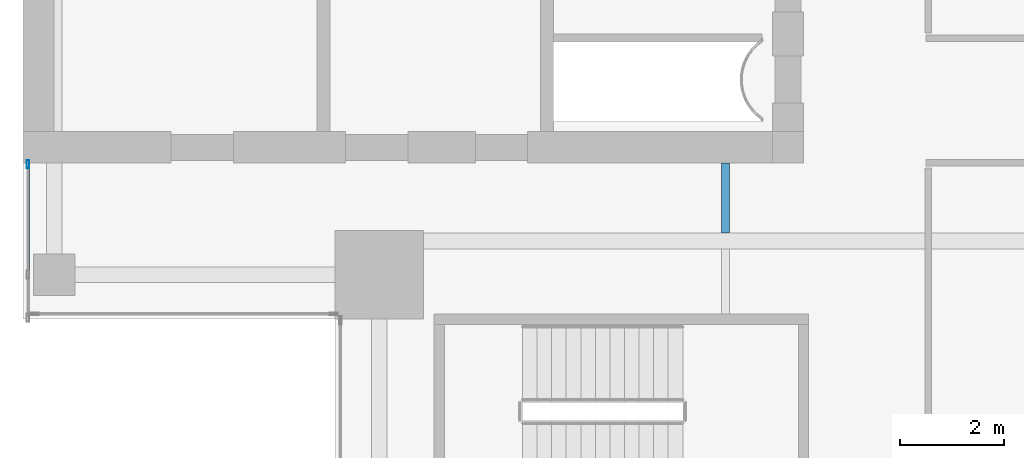
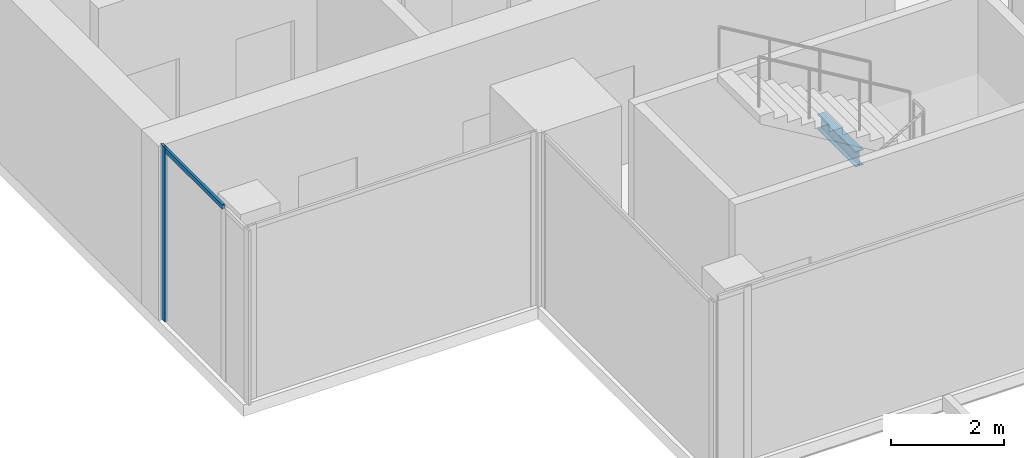
# One storey, part 4 of 29: 2 members, 1 beam, 1 element without a shape of its own.
"""IFC4 building model written with IfcOpenShell, lengths in metres."""

import ifcopenshell
import ifcopenshell.guid

model = None  # the IFC model being written
_history = None  # IfcOwnerHistory: only IFC2X3 demands one
_inside = {}  # id of a spatial element -> (the spatial element, [elements in it])
_under = {}  # id of a project, library or spatial element -> (it, [spatial elements below it])
_declared = {}  # id of a project -> (the project, [libraries it declares])
_typed = {}  # id of a type object -> (the type object, [elements of that type])
_made_of = {}  # id of a material, layer set ... -> (it, [elements and type objects made of it])


def new_model(schema):
    """Start an empty IFC model of exactly this schema.

    Asked for "IFC4X3", IfcOpenShell would pick the latest addendum, in which some entities
    have other attributes; the version numbers below select the first issue.
    IFC2X3 requires an IfcOwnerHistory on every rooted entity: one is made here for all.
    """
    global model, _history
    if schema == "IFC4X3":
        model = ifcopenshell.file(schema_version=(4, 3, 0, 0))
    else:
        model = ifcopenshell.file(schema=schema)
    _inside.clear()
    _under.clear()
    _declared.clear()
    _typed.clear()
    _made_of.clear()
    _history = None
    if model.schema == "IFC2X3":
        org = make("IfcOrganization", Name="unknown")
        user = make(
            "IfcPersonAndOrganization",
            ThePerson=make("IfcPerson", FamilyName="unknown"),
            TheOrganization=org,
        )
        app = make(
            "IfcApplication",
            ApplicationDeveloper=org,
            Version="unknown",
            ApplicationFullName="unknown",
            ApplicationIdentifier="unknown",
        )
        _history = make(
            "IfcOwnerHistory",
            OwningUser=user,
            OwningApplication=app,
            ChangeAction="ADDED",
            CreationDate=0,
        )
    return model


def make(cls, **values):
    """One entity of the class cls with the attributes given. An attribute that is None is left unset."""
    return model.create_entity(
        cls, **{name: value for name, value in values.items() if value is not None}
    )


def rooted(cls, **values):
    """An entity with a GlobalId (a new one), such as an element, a storey or a relation."""
    return make(cls, GlobalId=ifcopenshell.guid.new(), OwnerHistory=_history, **values)


def si_unit(unit_type, name, prefix=None):
    """IfcSIUnit, for example si_unit("LENGTHUNIT", "METRE", prefix="MILLI")."""
    return make("IfcSIUnit", UnitType=unit_type, Prefix=prefix, Name=name)


def assignment(units):
    """IfcUnitAssignment: the units of a project."""
    return None if units is None else make("IfcUnitAssignment", Units=units)


def point(xyz):
    """IfcCartesianPoint."""
    return None if xyz is None else make("IfcCartesianPoint", Coordinates=xyz)


def direction(xyz):
    """IfcDirection."""
    return None if xyz is None else make("IfcDirection", DirectionRatios=xyz)


def frame(location, z_axis=None, x_axis=None):
    """IfcAxis2Placement3D, a coordinate frame: its origin and axes. An axis left out is left unset."""
    return make(
        "IfcAxis2Placement3D",
        Location=point(location),
        Axis=direction(z_axis),
        RefDirection=direction(x_axis),
    )


def frame_2d(location, x_axis=None):
    """IfcAxis2Placement2D, a coordinate frame in the plane: its origin and x axis."""
    return make(
        "IfcAxis2Placement2D", Location=point(location), RefDirection=direction(x_axis)
    )


def origin():
    """The frame at (0, 0, 0) with its axes left unset."""
    return frame((0.0, 0.0, 0.0))


def origin_2d():
    """The frame at (0, 0) in the plane with its x axis left unset."""
    return frame_2d((0.0, 0.0))


def place(relative_to, where):
    """IfcLocalPlacement: puts the frame where relative to a parent placement (None: the world)."""
    return make(
        "IfcLocalPlacement", PlacementRelTo=relative_to, RelativePlacement=where
    )


def context(
    kind, dimensions, precision=None, world=None, true_north=None, identifier=None
):
    """IfcGeometricRepresentationContext, for example the 3D "Model" context."""
    return make(
        "IfcGeometricRepresentationContext",
        ContextIdentifier=identifier,
        ContextType=kind,
        CoordinateSpaceDimension=dimensions,
        Precision=precision,
        WorldCoordinateSystem=world,
        TrueNorth=true_north,
    )


def subcontext(parent, identifier, kind, view, scale=None):
    """IfcGeometricRepresentationSubContext, for example "Body" below "Model"."""
    return make(
        "IfcGeometricRepresentationSubContext",
        ContextIdentifier=identifier,
        ContextType=kind,
        ParentContext=parent,
        TargetScale=scale,
        TargetView=view,
    )


def project(units=None, contexts=None):
    """IfcProject with its units and contexts."""
    return rooted(
        "IfcProject",
        Name="project",
        RepresentationContexts=contexts,
        UnitsInContext=assignment(units),
    )


def spatial(cls, under=None, at=None, **own):
    """A site, building, storey or space (cls), placed at a placement, below another one or the project."""
    s = rooted(cls, ObjectPlacement=at, **own)
    if under is not None:
        _under.setdefault(under.id(), (under, []))[1].append(s)
    return s


def profile(cls, at=None, kind="AREA", **sizes):
    """A parametric profile (cls). Its sizes go by their IFC names, for example OverallWidth=200.0."""
    return make(cls, ProfileType=kind, Position=at, **sizes)


def hollow_rectangle(**sizes):
    """IfcRectangleHollowProfileDef."""
    return profile("IfcRectangleHollowProfileDef", **sizes)


def i_section(**sizes):
    """IfcIShapeProfileDef."""
    return profile("IfcIShapeProfileDef", **sizes)


def extrude(swept, where, along, depth):
    """IfcExtrudedAreaSolid: the profile swept, set in the frame where, extruded along a direction by depth."""
    return make(
        "IfcExtrudedAreaSolid",
        SweptArea=swept,
        Position=where,
        ExtrudedDirection=direction(along),
        Depth=depth,
    )


def shape(context_of_items, identifier, shape_type, items):
    """IfcShapeRepresentation: the items that make up one representation, for example the "Body"."""
    return make(
        "IfcShapeRepresentation",
        ContextOfItems=context_of_items,
        RepresentationIdentifier=identifier,
        RepresentationType=shape_type,
        Items=items,
    )


def source(mapping_origin, context_of_items, identifier, shape_type, items):
    """IfcRepresentationMap: a shape defined once, which mapped items show again and again."""
    return make(
        "IfcRepresentationMap",
        MappingOrigin=mapping_origin,
        MappedRepresentation=shape(context_of_items, identifier, shape_type, items),
    )


def transform(
    local_origin,
    x_axis=None,
    y_axis=None,
    z_axis=None,
    scale=None,
    scale2=None,
    scale3=None,
    uniform=True,
):
    """IfcCartesianTransformationOperator3D, or its non-uniform kind. x_axis, y_axis, z_axis: its Axis1, 2, 3."""
    if uniform:
        return make(
            "IfcCartesianTransformationOperator3D",
            Axis1=direction(x_axis),
            Axis2=direction(y_axis),
            LocalOrigin=point(local_origin),
            Scale=scale,
            Axis3=direction(z_axis),
        )
    return make(
        "IfcCartesianTransformationOperator3DnonUniform",
        Axis1=direction(x_axis),
        Axis2=direction(y_axis),
        LocalOrigin=point(local_origin),
        Scale=scale,
        Axis3=direction(z_axis),
        Scale2=scale2,
        Scale3=scale3,
    )


def mapped(mapping_source, mapping_target):
    """IfcMappedItem: shows the shape of a source again, moved by a transform."""
    return make(
        "IfcMappedItem", MappingSource=mapping_source, MappingTarget=mapping_target
    )


def material(Name=None, Category=None):
    """IfcMaterial."""
    return make("IfcMaterial", Name=Name, Category=Category)


def material_profile(
    of_material, cross_section, Name=None, Category=None, Priority=None
):
    """IfcMaterialProfile: a cross section and its material."""
    return make(
        "IfcMaterialProfile",
        Name=Name,
        Material=of_material,
        Profile=cross_section,
        Priority=Priority,
        Category=Category,
    )


def profile_set(profiles, Name=None, composite=None):
    """IfcMaterialProfileSet."""
    return make(
        "IfcMaterialProfileSet",
        Name=Name,
        MaterialProfiles=profiles,
        CompositeProfile=composite,
    )


def made_of(thing, what):
    """Note that an element or type object is made of a material, layer set ...; save() writes the relation."""
    if what is not None:
        _made_of.setdefault(what.id(), (what, []))[1].append(thing)
    return thing


def type_object(cls, material=None, **own):
    """A type object (cls), such as IfcWallType, which elements share."""
    return made_of(rooted(cls, **own), material)


def element(
    cls,
    number,
    at=None,
    inside=None,
    cuts=None,
    type_object=None,
    material=None,
    context=None,
    identifier="Body",
    shape_type=None,
    held_by="IfcProductDefinitionShape",
    body=None,
    shapes=None,
    **own,
):
    """One element of the class cls, such as IfcWall. Its Tag is "e" and its number.

    at: its placement. inside: the storey or other place that contains it. cuts: it is an
    opening in that element (IfcRelVoidsElement). A single representation is given by context,
    identifier, shape_type and body (its items); several are given by shapes. held_by: the class
    of the entity that holds the representations. save() writes the other relations.
    """
    e = rooted(cls, Tag="e%d" % number, ObjectPlacement=at, **own)
    if body is not None:
        shapes = [shape(context, identifier, shape_type, body)]
    if shapes is not None:
        e.Representation = make(held_by, Representations=shapes)
    if inside is not None:
        _inside.setdefault(inside.id(), (inside, []))[1].append(e)
    if cuts is not None:
        rooted(
            "IfcRelVoidsElement", RelatingBuildingElement=cuts, RelatedOpeningElement=e
        )
    if type_object is not None:
        _typed.setdefault(type_object.id(), (type_object, []))[1].append(e)
    return made_of(e, material)


def aggregate(whole, parts):
    """IfcRelAggregates: a whole, such as a stair, and the parts it consists of."""
    return rooted("IfcRelAggregates", RelatingObject=whole, RelatedObjects=parts)


def save(model, path):
    """Write the relations noted so far, then the file.

    IfcRelAggregates (storeys below a building ...), IfcRelContainedInSpatialStructure (elements
    in a storey), IfcRelDefinesByType, IfcRelAssociatesMaterial and IfcRelDeclares: one each for
    every whole, place, type object, material and project.
    """
    for whole, parts in _under.values():
        aggregate(whole, parts)
    for where, things in _inside.values():
        rooted(
            "IfcRelContainedInSpatialStructure",
            RelatedElements=things,
            RelatingStructure=where,
        )
    for kind, things in _typed.values():
        rooted("IfcRelDefinesByType", RelatedObjects=things, RelatingType=kind)
    for what, things in _made_of.values():
        rooted("IfcRelAssociatesMaterial", RelatedObjects=things, RelatingMaterial=what)
    for by, libraries in _declared.values():
        rooted("IfcRelDeclares", RelatingContext=by, RelatedDefinitions=libraries)
    model.write(path)


model = new_model("IFC4")

# Units and contexts
model_context = context("Model", 3, precision=1e-05, world=origin(), true_north=direction((0.0, 1.0)))
body_context = subcontext(model_context, "Body", "Model", "MODEL_VIEW")
ifc_project = project(units=[si_unit("LENGTHUNIT", "METRE"), si_unit("AREAUNIT", "SQUARE_METRE"), si_unit("VOLUMEUNIT", "CUBIC_METRE"), si_unit("PLANEANGLEUNIT", "RADIAN"), si_unit("MASSUNIT", "GRAM", prefix="KILO")], contexts=[model_context])

# Site, building, storey
site_placement = place(None, origin())
site = spatial("IfcSite", under=ifc_project, at=site_placement, CompositionType="ELEMENT")
building_placement = place(site_placement, origin())
building = spatial("IfcBuilding", under=site, at=building_placement, Name="Khomas Fold Tower", CompositionType="ELEMENT")
storey_placement = place(building_placement, frame((0.0, 0.0, 290.199951171875)))
storey = spatial("IfcBuildingStorey", under=building, at=storey_placement, Name="L65", CompositionType="ELEMENT", Elevation=290.199951171875)

# Beam
ifc_material_1 = material(Name="Steel S355", Category="steel")
ifc_material_profile_1 = material_profile(ifc_material_1, i_section(OverallWidth=0.159912109375, OverallDepth=0.330078125, WebThickness=0.007568359375, FlangeThickness=0.011474609375, at=origin_2d()), Name="IPE 330")
ifc_profile_set_1 = profile_set([ifc_material_profile_1], Name="Steel S355")
beam_type = type_object("IfcBeamType", Name="IPE 330 beam JB1", PredefinedType="BEAM", material=ifc_profile_set_1)
shared_shape_1 = source(origin(), body_context, "Body", "SweptSolid", [
    extrude(i_section(OverallWidth=0.159912109375, OverallDepth=0.330078125, WebThickness=0.007568359375, FlangeThickness=0.011474609375, at=origin_2d()), origin(), (0.0, 0.0, 1.0), 1.35009765625),
])
beam_placement = place(storey_placement, frame((19.5, 13.64990234375, -0.4150390625), z_axis=(0.0, 1.0, 0.0), x_axis=(-1.0, 0.0, 0.0)))
element("IfcBeam", 1, at=beam_placement, inside=storey, type_object=beam_type, Name="JB1", PredefinedType="BEAM", context=body_context, shape_type="MappedRepresentation", body=[
    mapped(shared_shape_1, transform((0.0, 0.0, 0.0))),
])

# Curtain wall, members
ifc_material_2 = material(Name="Aluminium framed double glazing", Category="aluminium")
curtain_wall_type = type_object("IfcCurtainWallType", Name="SK-Unitised clear-glass wall, upper floors CW3", PredefinedType="NOTDEFINED", material=ifc_material_2)
curtain_wall_placement = place(storey_placement, origin())
curtain_wall = element("IfcCurtainWall", 2, at=curtain_wall_placement, inside=storey, type_object=curtain_wall_type, Name="CW3 run L65 09-1", PredefinedType="NOTDEFINED")
ifc_material_3 = material(Name="Aluminium", Category="aluminium")
ifc_material_profile_2 = material_profile(ifc_material_3, hollow_rectangle(XDim=0.050048828125, YDim=0.159912109375, WallThickness=0.00390625, at=origin_2d()), Name="SK-Unitised clear-glass wall, upper floors mullion CW3-M")
ifc_profile_set_2 = profile_set([ifc_material_profile_2], Name="Aluminium")
member_type_1 = type_object("IfcMemberType", Name="SK-Unitised clear-glass wall, upper floors mullion CW3-M", PredefinedType="MULLION", material=ifc_profile_set_2)
shared_shape_2 = source(origin(), body_context, "Body", "SweptSolid", [
    extrude(hollow_rectangle(XDim=0.050048828125, YDim=0.159912109375, WallThickness=0.00390625, at=origin_2d()), origin(), (0.0, 0.0, 1.0), 3.75),
])
member_1_placement = place(storey_placement, frame((6.10009765625, 14.97509765625, 0.0), z_axis=(0.0, 0.0, 1.0), x_axis=(1.0, 0.0, 0.0)))
member_1 = element("IfcMember", 3, at=member_1_placement, type_object=member_type_1, Name="CW3 mullion 1", PredefinedType="MULLION", context=body_context, shape_type="MappedRepresentation", body=[
    mapped(shared_shape_2, transform((0.0, 0.0, 0.0))),
])
ifc_material_4 = material(Name="Aluminium", Category="aluminium")
ifc_material_profile_3 = material_profile(ifc_material_4, hollow_rectangle(XDim=0.050048828125, YDim=0.10009765625, WallThickness=0.00390625, at=origin_2d()), Name="SK-Unitised clear-glass wall, upper floors transom CW3-T")
ifc_profile_set_3 = profile_set([ifc_material_profile_3], Name="Aluminium")
member_type_2 = type_object("IfcMemberType", Name="SK-Unitised clear-glass wall, upper floors transom CW3-T", PredefinedType="USERDEFINED", material=ifc_profile_set_3)
shared_shape_3 = source(origin(), body_context, "Body", "SweptSolid", [
    extrude(hollow_rectangle(XDim=0.050048828125, YDim=0.10009765625, WallThickness=0.00390625, at=origin_2d()), origin(), (0.0, 0.0, 1.0), 2.074951171875),
])
member_2_placement = place(storey_placement, frame((6.10009765625, 14.949951171875, 3.699951171875), z_axis=(0.0, -1.0, 0.0), x_axis=(1.0, 0.0, 0.0)))
member_2 = element("IfcMember", 4, at=member_2_placement, type_object=member_type_2, Name="CW3 transom 1", ObjectType="TRANSOM", PredefinedType="USERDEFINED", context=body_context, shape_type="MappedRepresentation", body=[
    mapped(shared_shape_3, transform((0.0, 0.0, 0.0))),
])
aggregate(curtain_wall, [member_1, member_2])

save(model, "model.ifc")
